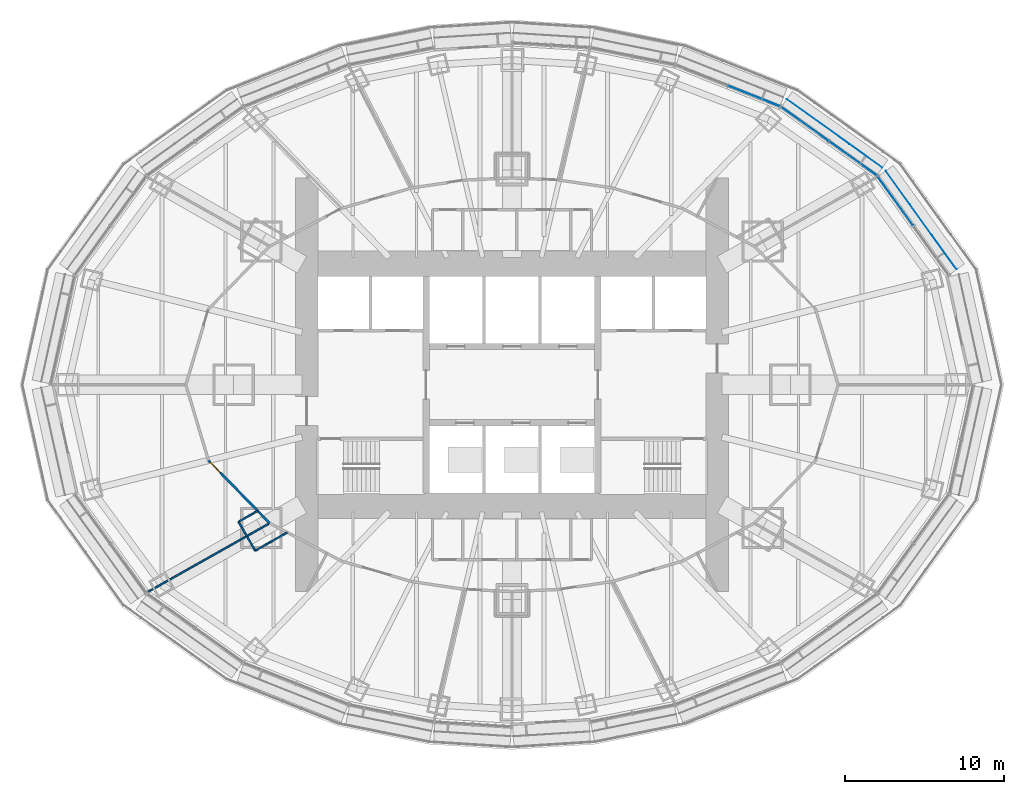
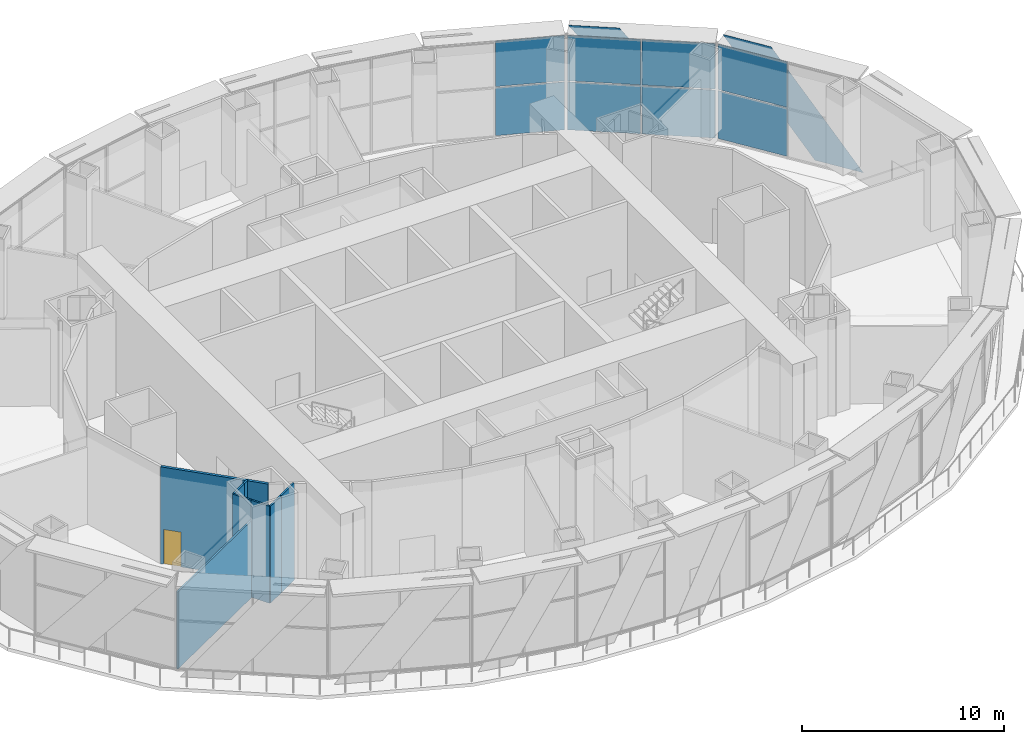
# One storey, part 10 of 21: 10 plates, 8 walls, 1 door, 1 opening, 3 elements without a shape of their own.
"""IFC4 building model written with IfcOpenShell, lengths in metres."""

from ifc_helpers import new_model, si_unit, direction, frame, frame_2d, origin, origin_2d, place, context, subcontext, project, spatial, polyline, rectangle, outline, extrude, material, layer, layer_set, type_object, element, fill, aggregate, save


model = new_model("IFC4")

# Units and contexts
model_context = context("Model", 3, precision=1e-05, world=origin(), true_north=direction((0.0, 1.0)))
body_context = subcontext(model_context, "Body", "Model", "MODEL_VIEW")
ifc_project = project(units=[si_unit("LENGTHUNIT", "METRE"), si_unit("AREAUNIT", "SQUARE_METRE"), si_unit("VOLUMEUNIT", "CUBIC_METRE"), si_unit("PLANEANGLEUNIT", "RADIAN"), si_unit("MASSUNIT", "GRAM", prefix="KILO")], contexts=[model_context])

# Site, building, storey
site_placement = place(None, origin())
site = spatial("IfcSite", under=ifc_project, at=site_placement, CompositionType="ELEMENT")
building_placement = place(site_placement, origin())
building = spatial("IfcBuilding", under=site, at=building_placement, Name="Lantaw Convention Tower", CompositionType="ELEMENT")
storey_placement = place(building_placement, frame((0.0, 0.0, 111.39990234375)))
storey = spatial("IfcBuildingStorey", under=building, at=storey_placement, Name="L26", CompositionType="ELEMENT", Elevation=111.39990234375)

# Curtain wall, plates
ifc_material_1 = material(Name="Aluminium framed curtain wall", Category="aluminium")
curtain_wall_type = type_object("IfcCurtainWallType", Name="Sky lobby curtain wall L26, pale aluminium", PredefinedType="USERDEFINED", material=ifc_material_1)
curtain_wall_1_placement = place(storey_placement, origin())
curtain_wall_1 = element("IfcCurtainWall", 1, at=curtain_wall_1_placement, inside=storey, type_object=curtain_wall_type, Name="Sky lobby curtain wall L26, pale aluminium L26", ObjectType="STICK CURTAIN WALL", PredefinedType="USERDEFINED")
ifc_material_2 = material(Name="Clear insulating glass", Category="glass")
ifc_layer_1 = layer(ifc_material_2, 0.030029296875)
ifc_layer_set_1 = layer_set([ifc_layer_1], Name="CW-SL panel 30")
plate_type_1 = type_object("IfcPlateType", Name="CW-SL panel 30", PredefinedType="CURTAIN_PANEL", material=ifc_layer_set_1)
plate_1_placement = place(storey_placement, frame((24.109619140625, 11.5419921875, 0.0751953125), z_axis=(0.0, 0.0, 1.0), x_axis=(-0.584512597221, 0.811384633629, 0.0)))
plate_1 = element("IfcPlate", 2, at=plate_1_placement, type_object=plate_type_1, Name="CW-SL panel 2.1", PredefinedType="CURTAIN_PANEL", context=body_context, shape_type="SweptSolid", body=[
    extrude(rectangle(XDim=3.75244140625, YDim=0.030029296875, at=origin_2d()), origin(), (0.0, 0.0, 1.0), 2.887451171875),
])
plate_2_placement = place(storey_placement, frame((24.109619140625, 11.5419921875, 3.03759765625), z_axis=(0.0, 0.0, 1.0), x_axis=(-0.584512597221, 0.811384633629, 0.0)))
plate_2 = element("IfcPlate", 3, at=plate_2_placement, type_object=plate_type_1, Name="CW-SL panel 2.2", PredefinedType="CURTAIN_PANEL", context=body_context, shape_type="SweptSolid", body=[
    extrude(rectangle(XDim=3.75244140625, YDim=0.030029296875, at=origin_2d()), origin(), (0.0, 0.0, 1.0), 2.737548828125),
])
aggregate(curtain_wall_1, [plate_1, plate_2])

curtain_wall_2_placement = place(storey_placement, origin())
curtain_wall_2 = element("IfcCurtainWall", 4, at=curtain_wall_2_placement, inside=storey, type_object=curtain_wall_type, Name="Sky lobby curtain wall L26, pale aluminium L26", ObjectType="STICK CURTAIN WALL", PredefinedType="USERDEFINED")
plate_3_placement = place(storey_placement, frame((21.431884765625, 14.22509765625, 0.0751953125), z_axis=(0.0, 0.0, 1.0), x_axis=(-0.813208325995, 0.581972695693, 0.0)))
plate_3 = element("IfcPlate", 5, at=plate_3_placement, type_object=plate_type_1, Name="CW-SL panel 1.1", PredefinedType="CURTAIN_PANEL", context=body_context, shape_type="SweptSolid", body=[
    extrude(rectangle(XDim=3.63037109375, YDim=0.030029296875, at=origin_2d()), origin(), (0.0, 0.0, 1.0), 2.887451171875),
])
plate_4_placement = place(storey_placement, frame((21.431884765625, 14.22509765625, 3.03759765625), z_axis=(0.0, 0.0, 1.0), x_axis=(-0.813208325995, 0.581972695693, 0.0)))
plate_4 = element("IfcPlate", 6, at=plate_4_placement, type_object=plate_type_1, Name="CW-SL panel 1.2", PredefinedType="CURTAIN_PANEL", context=body_context, shape_type="SweptSolid", body=[
    extrude(rectangle(XDim=3.63037109375, YDim=0.030029296875, at=origin_2d()), origin(), (0.0, 0.0, 1.0), 2.737548828125),
])
plate_5_placement = place(storey_placement, frame((18.4189453125, 16.381591796875, 0.0751953125), z_axis=(0.0, 0.0, 1.0), x_axis=(-0.813208325995, 0.581972695693, 0.0)))
plate_5 = element("IfcPlate", 7, at=plate_5_placement, type_object=plate_type_1, Name="CW-SL panel 2.1", PredefinedType="CURTAIN_PANEL", context=body_context, shape_type="SweptSolid", body=[
    extrude(rectangle(XDim=3.63037109375, YDim=0.030029296875, at=origin_2d()), origin(), (0.0, 0.0, 1.0), 2.887451171875),
])
plate_6_placement = place(storey_placement, frame((18.4189453125, 16.381591796875, 3.03759765625), z_axis=(0.0, 0.0, 1.0), x_axis=(-0.813208325995, 0.581972695693, 0.0)))
plate_6 = element("IfcPlate", 8, at=plate_6_placement, type_object=plate_type_1, Name="CW-SL panel 2.2", PredefinedType="CURTAIN_PANEL", context=body_context, shape_type="SweptSolid", body=[
    extrude(rectangle(XDim=3.63037109375, YDim=0.030029296875, at=origin_2d()), origin(), (0.0, 0.0, 1.0), 2.737548828125),
])
aggregate(curtain_wall_2, [plate_3, plate_4, plate_5, plate_6])

curtain_wall_3_placement = place(storey_placement, origin())
curtain_wall_3 = element("IfcCurtainWall", 9, at=curtain_wall_3_placement, inside=storey, type_object=curtain_wall_type, Name="Sky lobby curtain wall L26, pale aluminium L26", ObjectType="STICK CURTAIN WALL", PredefinedType="USERDEFINED")
plate_7_placement = place(storey_placement, frame((15.205810546875, 18.146240234375, 0.0751953125), z_axis=(0.0, 0.0, 1.0), x_axis=(-0.929547687544, 0.368701907483, 0.0)))
plate_7 = element("IfcPlate", 10, at=plate_7_placement, type_object=plate_type_1, Name="CW-SL panel 1.1", PredefinedType="CURTAIN_PANEL", context=body_context, shape_type="SweptSolid", body=[
    extrude(rectangle(XDim=3.455810546875, YDim=0.030029296875, at=origin_2d()), origin(), (0.0, 0.0, 1.0), 2.887451171875),
])
plate_8_placement = place(storey_placement, frame((15.205810546875, 18.146240234375, 3.03759765625), z_axis=(0.0, 0.0, 1.0), x_axis=(-0.929547687544, 0.368701907483, 0.0)))
plate_8 = element("IfcPlate", 11, at=plate_8_placement, type_object=plate_type_1, Name="CW-SL panel 1.2", PredefinedType="CURTAIN_PANEL", context=body_context, shape_type="SweptSolid", body=[
    extrude(rectangle(XDim=3.455810546875, YDim=0.030029296875, at=origin_2d()), origin(), (0.0, 0.0, 1.0), 2.737548828125),
])
aggregate(curtain_wall_3, [plate_7, plate_8])

# Plates
ifc_material_3 = material(Name="Perforated aluminium sheet, pale silver finish", Category="aluminium")
ifc_layer_2 = layer(ifc_material_3, 0.006103515625)
ifc_layer_set_2 = layer_set([ifc_layer_2], Name="Perforated aluminium solar SCREEN panel")
plate_type_2 = type_object("IfcPlateType", Name="Perforated aluminium solar SCREEN panel", PredefinedType="SHEET", material=ifc_layer_set_2)
plate_9_placement = place(storey_placement, frame((27.94970703125, 7.248046875, -0.199951171875), z_axis=(0.811395121853, 0.584498037289, 2.5263716e-05), x_axis=(-0.584498037475, 0.811395122112, -6.86e-10)))
element("IfcPlate", 12, at=plate_9_placement, inside=storey, type_object=plate_type_2, Name="Solar SCREEN panel", PredefinedType="SHEET", context=body_context, shape_type="SweptSolid", body=[
    extrude(outline(polyline([(0.0, 0.0), (2.628222178575422, -6.776263578034403e-21), (7.629778257969264, 6.165039069700306), (5.001754173906076, 6.165039066095317), (0.0, 0.0)])), origin(), (0.0, 0.0, -1.0), 0.006103515625),
])
plate_10_placement = place(storey_placement, frame((23.281005859375, 13.64697265625, -0.199951171875), z_axis=(0.582000183956, 0.813188653271, 8.121964e-06), x_axis=(-0.813188653298, 0.582000183975, 0.0)))
element("IfcPlate", 13, at=plate_10_placement, inside=storey, type_object=plate_type_2, Name="Solar SCREEN panel", PredefinedType="SHEET", context=body_context, shape_type="SweptSolid", body=[
    extrude(outline(polyline([(0.0, 0.0), (2.5450183911586484, 1.6940658945086007e-21), (7.385531276904658, 6.165039062703343), (4.840512885746009, 6.165039062703343), (0.0, 0.0)])), origin(), (0.0, 0.0, -1.0), 0.006103515625),
])

# Walls
ifc_material_4 = material(Name="Fire-rated board casing on steel studs", Category="steel")
ifc_layer_3 = layer(ifc_material_4, 0.10009765625)
ifc_layer_set_3 = layer_set([ifc_layer_3], Name="Casing wall 100 EI 120")
wall_type_1 = type_object("IfcWallType", Name="Casing wall 100 EI 120", PredefinedType="PARTITIONING", material=ifc_layer_set_3)
wall_1_placement = place(storey_placement, frame((-16.140625, -10.4326171875, 0.0), z_axis=(0.0, 0.0, 1.0), x_axis=(-0.496189017888, 0.868214523334, 0.0)))
element("IfcWall", 14, at=wall_1_placement, inside=storey, type_object=wall_type_1, Name="Casing wall 100", PredefinedType="PARTITIONING", context=body_context, shape_type="SweptSolid", body=[
    extrude(rectangle(XDim=1.050048828125, YDim=0.10009765625, at=frame_2d((0.52490234375, 0.0))), origin(), (0.0, 0.0, 1.0), 5.85009765625),
])
wall_2_placement = place(storey_placement, frame((-16.666015625, -9.51318359375, 0.0), z_axis=(0.0, 0.0, 1.0), x_axis=(-0.49623995811, 0.868185408755, 0.0)))
element("IfcWall", 15, at=wall_2_placement, inside=storey, type_object=wall_type_1, Name="Casing wall 100", PredefinedType="PARTITIONING", context=body_context, shape_type="SweptSolid", body=[
    extrude(rectangle(XDim=1.041015625, YDim=0.10009765625, at=frame_2d((0.5205078125, 0.0))), origin(), (0.0, 0.0, 1.0), 5.85009765625),
])
wall_3_placement = place(storey_placement, frame((-17.1826171875, -8.609375, 0.0), z_axis=(0.0, 0.0, 1.0), x_axis=(0.868214523334, 0.496189017888, 0.0)))
element("IfcWall", 16, at=wall_3_placement, inside=storey, type_object=wall_type_1, Name="Casing wall 100", PredefinedType="PARTITIONING", context=body_context, shape_type="SweptSolid", body=[
    extrude(rectangle(XDim=1.050048828125, YDim=0.10009765625, at=frame_2d((0.52490234375, 0.0))), origin(), (0.0, 0.0, 1.0), 5.85009765625),
])
wall_4_placement = place(storey_placement, frame((-16.27099609375, -8.08837890625, 0.0), z_axis=(0.0, 0.0, 1.0), x_axis=(0.868289043195, 0.496058602856, 0.0)))
element("IfcWall", 17, at=wall_4_placement, inside=storey, type_object=wall_type_1, Name="Casing wall 100", PredefinedType="PARTITIONING", context=body_context, shape_type="SweptSolid", body=[
    extrude(rectangle(XDim=0.327392578125, YDim=0.10009765625, at=frame_2d((0.16357421875, 0.0))), origin(), (0.0, 0.0, 1.0), 5.85009765625),
])
wall_5_placement = place(storey_placement, frame((-14.128173828125, -9.28271484375, 0.0), z_axis=(0.0, 0.0, 1.0), x_axis=(-0.868290539594, -0.496055983587, 0.0)))
element("IfcWall", 18, at=wall_5_placement, inside=storey, type_object=wall_type_1, Name="Casing wall 100", PredefinedType="PARTITIONING", context=body_context, shape_type="SweptSolid", body=[
    extrude(rectangle(XDim=1.267822265625, YDim=0.10009765625, at=frame_2d((0.6337890625, 0.0))), origin(), (0.0, 0.0, 1.0), 5.85009765625),
])
wall_6_placement = place(storey_placement, frame((-15.22900390625, -9.91162109375, 0.0), z_axis=(0.0, 0.0, 1.0), x_axis=(-0.868214523334, -0.496189017888, 0.0)))
element("IfcWall", 19, at=wall_6_placement, inside=storey, type_object=wall_type_1, Name="Casing wall 100", PredefinedType="PARTITIONING", context=body_context, shape_type="SweptSolid", body=[
    extrude(rectangle(XDim=1.050048828125, YDim=0.10009765625, at=frame_2d((0.52490234375, 0.0))), origin(), (0.0, 0.0, 1.0), 5.85009765625),
])

# Wall, opening, door
ifc_material_5 = material(Name="Gypsum board on steel studs, fire rated", Category="steel")
ifc_layer_4 = layer(ifc_material_5, 0.14990234375)
ifc_layer_set_4 = layer_set([ifc_layer_4], Name="Corridor wall 150 EI 60")
wall_type_2 = type_object("IfcWallType", Name="Corridor wall 150 EI 60", PredefinedType="PARTITIONING", material=ifc_layer_set_4)
wall_7_placement = place(storey_placement, frame((-19.078369140625, -4.7568359375, 0.0), z_axis=(0.0, 0.0, 1.0), x_axis=(0.698305033542, -0.715800307439, 0.0)))
wall_7 = element("IfcWall", 20, at=wall_7_placement, inside=storey, type_object=wall_type_2, Name="Corridor wall 150", PredefinedType="PARTITIONING", context=body_context, shape_type="SweptSolid", body=[
    extrude(rectangle(XDim=5.51220703125, YDim=0.14990234375, at=frame_2d((2.756103515625, 0.0))), origin(), (0.0, 0.0, 1.0), 5.85009765625),
])
opening_placement = place(wall_7_placement, frame((0.14990234375, 0.0, 0.0)))
opening = element("IfcOpeningElement", 21, at=opening_placement, cuts=wall_7, Name="Opening L26.32", PredefinedType="OPENING", context=body_context, shape_type="SweptSolid", body=[
    extrude(rectangle(XDim=0.89990234375, YDim=2.10009765625, at=frame_2d((0.449951171875, 1.050048828125))), frame((0.0, 0.0849609375, 0.0), z_axis=(0.0, -1.0, 0.0), x_axis=(1.0, 0.0, 0.0)), (0.0, 0.0, 1.0), 0.169921875),
])
ifc_material_6 = material(Name="Steel, fire rated", Category="steel")
door_type = type_object("IfcDoorType", Name="Office door 900 FD30", OperationType="SINGLE_SWING_LEFT", PredefinedType="DOOR", material=ifc_material_6)
door_placement = place(opening_placement, origin())
door = element("IfcDoor", 22, at=door_placement, inside=storey, type_object=door_type, Name="Tenant pantry door", OperationType="SINGLE_SWING_LEFT", OverallHeight=2.10009765625, OverallWidth=0.89990234375, PredefinedType="DOOR", context=body_context, shape_type="SweptSolid", body=[
    extrude(rectangle(XDim=0.89990234375, YDim=2.10009765625, at=frame_2d((0.449951171875, 1.050048828125))), frame((0.0, 0.02490234375, 0.0), z_axis=(0.0, -1.0, 0.0), x_axis=(1.0, 0.0, 0.0)), (0.0, 0.0, 1.0), 0.050048828125),
])
fill(opening, door)

# Wall
ifc_material_7 = material(Name="Gypsum board on steel studs, acoustic", Category="steel")
ifc_layer_5 = layer(ifc_material_7, 0.10009765625)
ifc_layer_set_5 = layer_set([ifc_layer_5], Name="Office partition 100")
wall_type_3 = type_object("IfcWallType", Name="Office partition 100", PredefinedType="PARTITIONING", material=ifc_layer_set_5)
wall_8_placement = place(storey_placement, frame((-22.94921875, -13.05908203125, 0.0), z_axis=(0.0, 0.0, 1.0), x_axis=(0.870889908693, 0.491478144923, 0.0)))
element("IfcWall", 23, at=wall_8_placement, inside=storey, type_object=wall_type_3, Name="Office partition 100", PredefinedType="PARTITIONING", context=body_context, shape_type="SweptSolid", body=[
    extrude(rectangle(XDim=8.864501953125, YDim=0.10009765625, at=frame_2d((4.43212890625, 0.0))), origin(), (0.0, 0.0, 1.0), 4.650146484375),
])

save(model, "model.ifc")
